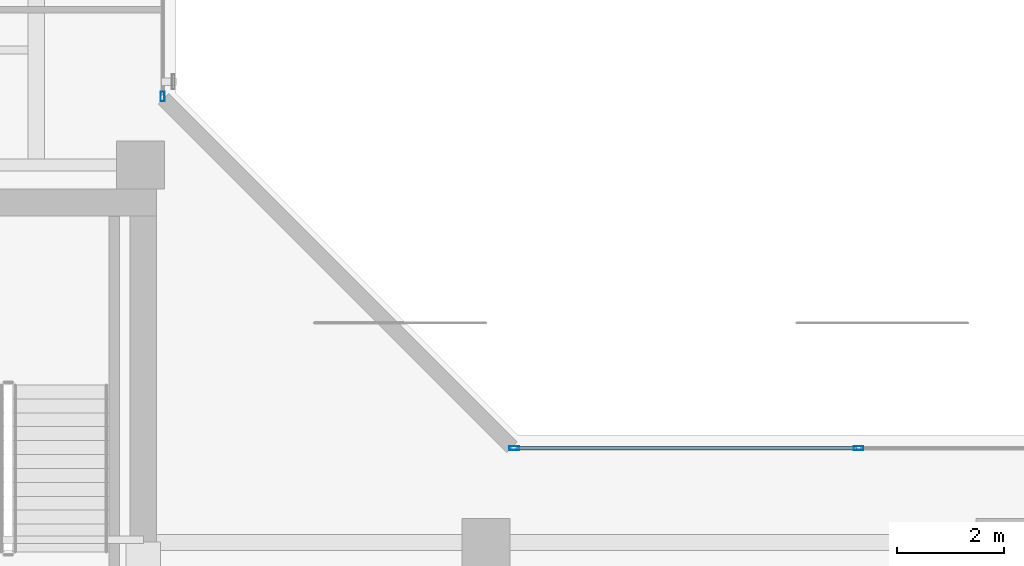
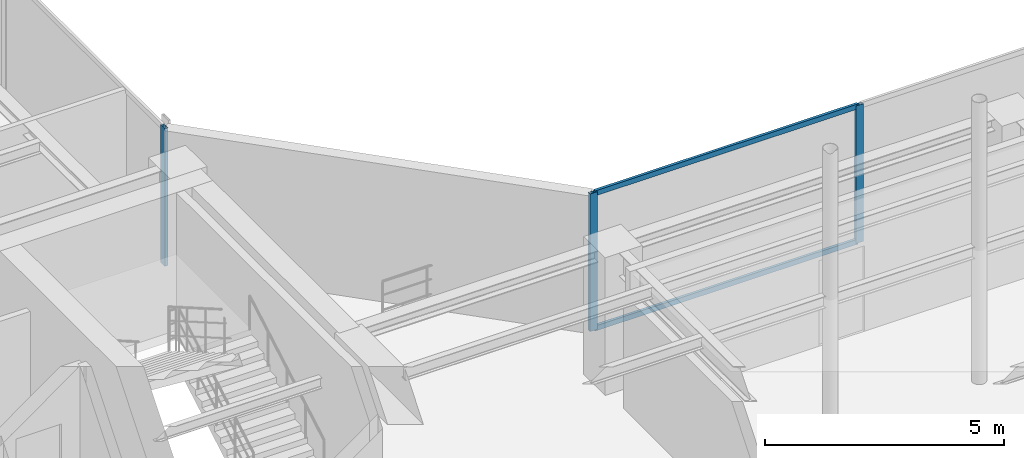
# One storey, part 13 of 32: 5 members, 2 elements without a shape of their own.
"""IFC4 building model written with IfcOpenShell, lengths in metres."""

from ifc_helpers import new_model, si_unit, direction, frame, origin, origin_with_axes, origin_2d, place, context, subcontext, project, spatial, hollow_rectangle, extrude, source, transform, mapped, material, layer, layer_set, material_profile, profile_set, type_object, element, aggregate, save


model = new_model("IFC4")

# Units and contexts
model_context = context("Model", 3, precision=1e-05, world=origin(), true_north=direction((0.0, 1.0)))
body_context = subcontext(model_context, "Body", "Model", "MODEL_VIEW")
ifc_project = project(units=[si_unit("LENGTHUNIT", "METRE"), si_unit("AREAUNIT", "SQUARE_METRE"), si_unit("VOLUMEUNIT", "CUBIC_METRE"), si_unit("PLANEANGLEUNIT", "RADIAN"), si_unit("MASSUNIT", "GRAM", prefix="KILO")], contexts=[model_context])

# Site, building, storey
site_placement = place(None, origin())
site = spatial("IfcSite", under=ifc_project, at=site_placement, CompositionType="ELEMENT")
building_placement = place(site_placement, origin())
building = spatial("IfcBuilding", under=site, at=building_placement, Name="Kolvaren Waterfront Exchange", CompositionType="ELEMENT")
storey_placement = place(building_placement, frame((0.0, 0.0, 348.10009765625)))
storey = spatial("IfcBuildingStorey", under=building, at=storey_placement, Name="L89", CompositionType="ELEMENT", Elevation=348.10009765625)

# Curtain wall, members
ifc_material = material(Name="Anodised bronze aluminium 6063-T6", Category="aluminium")
ifc_layer = layer(ifc_material, 0.219970703125, Name="Anodised bronze aluminium 6063-T6")
ifc_layer_set = layer_set([ifc_layer], Name="Anodised bronze aluminium 6063-T6")
curtain_wall_type = type_object("IfcCurtainWallType", Name="ARC-CW-SYS5", PredefinedType="USERDEFINED", material=ifc_layer_set)
curtain_wall_1_placement = place(storey_placement, origin())
curtain_wall_1 = element("IfcCurtainWall", 1, at=curtain_wall_1_placement, inside=storey, type_object=curtain_wall_type, Name="L89 stick curtain wall CW5 (CW-L89-EN)", ObjectType="STICK CURTAIN WALL", PredefinedType="USERDEFINED")
ifc_material_profile_1 = material_profile(ifc_material, hollow_rectangle(XDim=0.06494140625, YDim=0.1298828125, WallThickness=0.00390625, at=origin_2d()), Name="ALU-TRN-130x65x4")
ifc_profile_set_1 = profile_set([ifc_material_profile_1], Name="Anodised bronze aluminium 6063-T6")
member_type_1 = type_object("IfcMemberType", Name="ARC-CWT-130", PredefinedType="USERDEFINED", material=ifc_profile_set_1)
shared_shape_1 = source(origin_with_axes(), body_context, "Body", "SweptSolid", [
    extrude(hollow_rectangle(XDim=0.06494140625, YDim=0.1298828125, WallThickness=0.00390625, at=origin_2d()), origin(), (0.0, 0.0, 1.0), 6.357666015625),
])
member_1_placement = place(storey_placement, frame((27.764892578125, 19.159912109375, 0.032470703125), z_axis=(1.0, 0.0, 0.0), x_axis=(0.0, 1.0, 0.0)))
member_1 = element("IfcMember", 2, at=member_1_placement, type_object=member_type_1, Name="CW5 transom 1.1", ObjectType="TRANSOM", PredefinedType="USERDEFINED", context=body_context, shape_type="MappedRepresentation", body=[
    mapped(shared_shape_1, transform((0.0, 0.0, 0.0), x_axis=(1.0, 0.0, 0.0), y_axis=(0.0, 1.0, 0.0), z_axis=(0.0, 0.0, 1.0), scale=1.0)),
])
member_2_placement = place(storey_placement, frame((27.764892578125, 19.159912109375, 3.4873046875), z_axis=(1.0, 0.0, 0.0), x_axis=(0.0, 1.0, 0.0)))
member_2 = element("IfcMember", 3, at=member_2_placement, type_object=member_type_1, Name="CW5 transom 1.2", ObjectType="TRANSOM", PredefinedType="USERDEFINED", context=body_context, shape_type="MappedRepresentation", body=[
    mapped(shared_shape_1, transform((0.0, 0.0, 0.0), x_axis=(1.0, 0.0, 0.0), y_axis=(0.0, 1.0, 0.0), z_axis=(0.0, 0.0, 1.0), scale=1.0)),
])

# Curtain wall, member
curtain_wall_2_placement = place(storey_placement, origin())
curtain_wall_2 = element("IfcCurtainWall", 4, at=curtain_wall_2_placement, inside=storey, type_object=curtain_wall_type, Name="L89 stick curtain wall CW5 (CW-L89-NE)", ObjectType="STICK CURTAIN WALL", PredefinedType="USERDEFINED")
ifc_material_profile_2 = material_profile(ifc_material, hollow_rectangle(XDim=0.074951171875, YDim=0.179931640625, WallThickness=0.00439453125, at=origin_2d()), Name="ALU-MUL-180x75x4.5")
ifc_profile_set_2 = profile_set([ifc_material_profile_2], Name="Anodised bronze aluminium 6063-T6")
member_type_2 = type_object("IfcMemberType", Name="ARC-CWM-180", PredefinedType="MULLION", material=ifc_profile_set_2)
shared_shape_2 = source(origin_with_axes(), body_context, "Body", "SweptSolid", [
    extrude(hollow_rectangle(XDim=0.074951171875, YDim=0.179931640625, WallThickness=0.00439453125, at=origin_2d()), origin(), (0.0, 0.0, 1.0), 3.52001953125),
])
member_3_placement = place(storey_placement, frame((21.159912109375, 25.7275390625, 0.0), z_axis=(0.0, 0.0, 1.0), x_axis=(-1.0, 0.0, 0.0)))
member_3 = element("IfcMember", 5, at=member_3_placement, type_object=member_type_2, Name="CW5 mullion 1", PredefinedType="MULLION", context=body_context, shape_type="MappedRepresentation", body=[
    mapped(shared_shape_2, transform((0.0, 0.0, 0.0), x_axis=(1.0, 0.0, 0.0), y_axis=(0.0, 1.0, 0.0), z_axis=(0.0, 0.0, 1.0), scale=1.0)),
])
aggregate(curtain_wall_2, [member_3])

# Member
member_4_placement = place(storey_placement, frame((27.7275390625, 19.159912109375, 0.0), z_axis=(0.0, 0.0, 1.0), x_axis=(0.0, 1.0, 0.0)))
member_4 = element("IfcMember", 6, at=member_4_placement, type_object=member_type_2, Name="CW5 mullion 1", PredefinedType="MULLION", context=body_context, shape_type="MappedRepresentation", body=[
    mapped(shared_shape_2, transform((0.0, 0.0, 0.0), x_axis=(1.0, 0.0, 0.0), y_axis=(0.0, 1.0, 0.0), z_axis=(0.0, 0.0, 1.0), scale=1.0)),
])

member_5_placement = place(storey_placement, frame((34.159912109375, 19.159912109375, 0.0), z_axis=(0.0, 0.0, 1.0), x_axis=(0.0, 1.0, 0.0)))
member_5 = element("IfcMember", 7, at=member_5_placement, type_object=member_type_2, Name="CW5 mullion 2", PredefinedType="MULLION", context=body_context, shape_type="MappedRepresentation", body=[
    mapped(shared_shape_2, transform((0.0, 0.0, 0.0), x_axis=(1.0, 0.0, 0.0), y_axis=(0.0, 1.0, 0.0), z_axis=(0.0, 0.0, 1.0), scale=1.0)),
])

aggregate(curtain_wall_1, [member_4, member_5, member_1, member_2])

save(model, "model.ifc")
